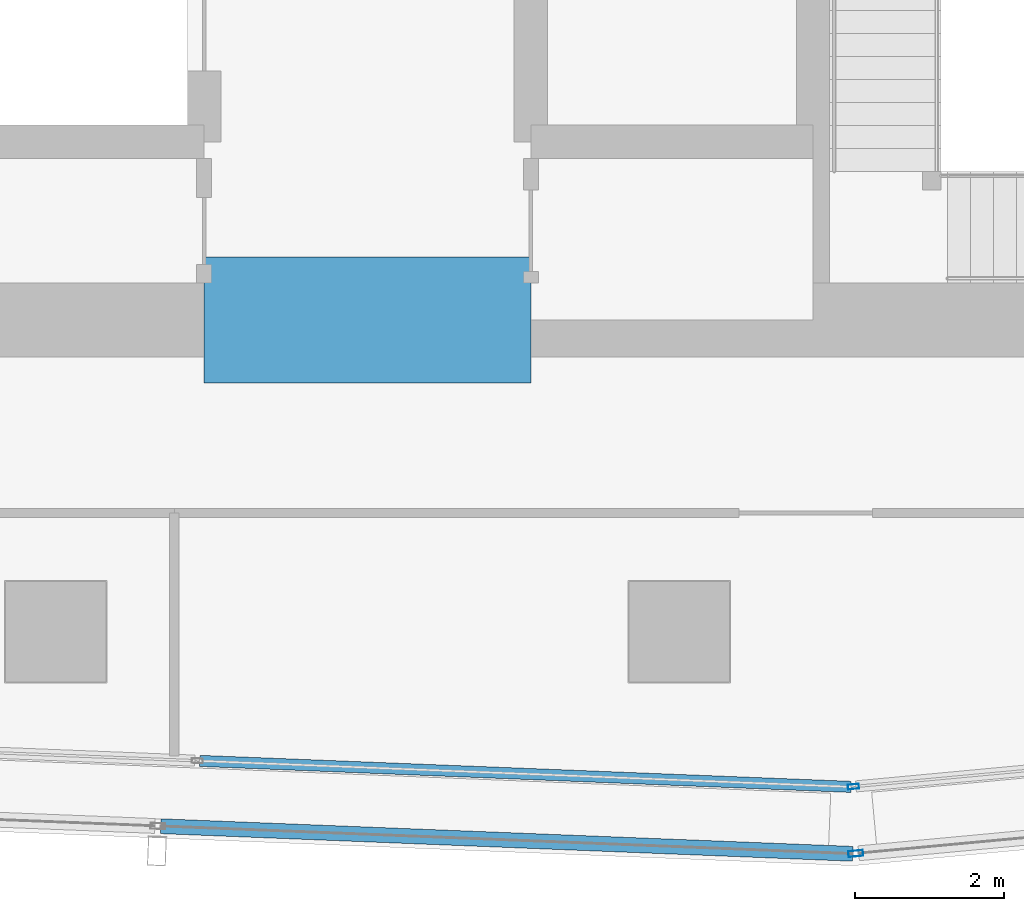
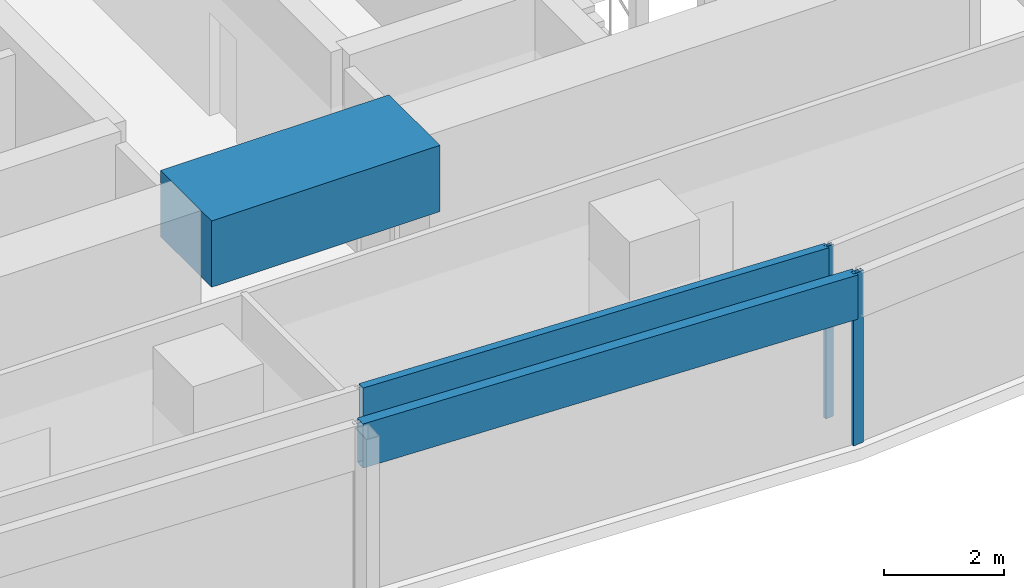
# One storey, part 9 of 39: 4 members, 1 beam, 4 elements without a shape of their own.
"""IFC4 building model written with IfcOpenShell, lengths in metres."""

from ifc_helpers import new_model, si_unit, direction, frame, origin, origin_2d, place, context, subcontext, project, spatial, rectangle, hollow_rectangle, extrude, material, material_profile, profile_set, type_object, element, aggregate, save


model = new_model("IFC4")

# Units and contexts
model_context = context("Model", 3, precision=1e-05, world=origin(), true_north=direction((0.0, 1.0)))
body_context = subcontext(model_context, "Body", "Model", "MODEL_VIEW")
ifc_project = project(units=[si_unit("LENGTHUNIT", "METRE"), si_unit("AREAUNIT", "SQUARE_METRE"), si_unit("VOLUMEUNIT", "CUBIC_METRE"), si_unit("PLANEANGLEUNIT", "RADIAN"), si_unit("MASSUNIT", "GRAM", prefix="KILO")], contexts=[model_context])

# Site, building, storey
site_placement = place(None, origin())
site = spatial("IfcSite", under=ifc_project, at=site_placement, CompositionType="ELEMENT")
building_placement = place(site_placement, origin())
building = spatial("IfcBuilding", under=site, at=building_placement, Name="Rekha Terrace Tower", CompositionType="ELEMENT")
storey_placement = place(building_placement, frame((0.0, 0.0, 221.449951171875)))
storey = spatial("IfcBuildingStorey", under=building, at=storey_placement, Name="L56", CompositionType="ELEMENT", Elevation=221.449951171875)

# Curtain wall, member
ifc_material_1 = material(Name="Aluminium framing", Category="aluminium")
curtain_wall_type_1 = type_object("IfcCurtainWallType", Name="CW1 double skin inner glazing", PredefinedType="USERDEFINED", material=ifc_material_1)
curtain_wall_1_placement = place(storey_placement, origin())
curtain_wall_1 = element("IfcCurtainWall", 1, at=curtain_wall_1_placement, inside=storey, type_object=curtain_wall_type_1, Name="CW1 double skin inner glazing", ObjectType="DOUBLE SKIN INNER GLAZING", PredefinedType="USERDEFINED")
ifc_material_2 = material(Name="Aluminium mullion section", Category="aluminium")
ifc_material_profile_1 = material_profile(ifc_material_2, hollow_rectangle(XDim=0.06494140625, YDim=0.14990234375, WallThickness=0.00390625, at=origin_2d()), Name="AL RHS 65x150")
ifc_profile_set_1 = profile_set([ifc_material_profile_1], Name="Aluminium mullion section")
member_type_1 = type_object("IfcMemberType", Name="CW1 mullion RHS 65 x 150", PredefinedType="MULLION", material=ifc_profile_set_1)
member_1_placement = place(storey_placement, frame((44.34423828125, 14.715087890625, 0.0), z_axis=(0.0, 0.0, 1.0), x_axis=(-0.092708869564, 0.995693258742, 0.0)))
member_1 = element("IfcMember", 2, at=member_1_placement, type_object=member_type_1, Name="CW1 mullion 1", PredefinedType="MULLION", context=body_context, shape_type="SweptSolid", body=[
    extrude(hollow_rectangle(XDim=0.06494140625, YDim=0.14990234375, WallThickness=0.00390625, at=origin_2d()), origin(), (0.0, 0.0, 1.0), 3.5),
])
aggregate(curtain_wall_1, [member_1])

curtain_wall_2_placement = place(storey_placement, origin())
curtain_wall_2 = element("IfcCurtainWall", 3, at=curtain_wall_2_placement, inside=storey, type_object=curtain_wall_type_1, Name="CW1 double skin inner glazing", ObjectType="DOUBLE SKIN INNER GLAZING", PredefinedType="USERDEFINED")
ifc_material_3 = material(Name="Insulated aluminium spandrel box", Category="aluminium")
ifc_material_profile_2 = material_profile(ifc_material_3, hollow_rectangle(XDim=0.14990234375, YDim=0.89990234375, WallThickness=0.0029296875, at=origin_2d()), Name="AL SPANDREL BOX 150x900")
ifc_profile_set_2 = profile_set([ifc_material_profile_2], Name="Insulated aluminium spandrel box")
member_type_2 = type_object("IfcMemberType", Name="CW1 spandrel transom 150 x 900", PredefinedType="USERDEFINED", material=ifc_profile_set_2)
member_2_placement = place(storey_placement, frame((35.5400390625, 15.06201171875, 3.050048828125), z_axis=(0.999204464505, -0.039880297311, 0.0), x_axis=(0.039880297311, 0.999204464505, 0.0)))
member_2 = element("IfcMember", 4, at=member_2_placement, type_object=member_type_2, Name="CW1 spandrel transom 4", ObjectType="TRANSOM", PredefinedType="USERDEFINED", context=body_context, shape_type="SweptSolid", body=[
    extrude(hollow_rectangle(XDim=0.14990234375, YDim=0.89990234375, WallThickness=0.0029296875, at=origin_2d()), origin(), (0.0, 0.0, 1.0), 8.77880859375),
])
aggregate(curtain_wall_2, [member_2])

curtain_wall_type_2 = type_object("IfcCurtainWallType", Name="CW2 double skin outer glazing", PredefinedType="USERDEFINED", material=ifc_material_1)
curtain_wall_3_placement = place(storey_placement, origin())
curtain_wall_3 = element("IfcCurtainWall", 5, at=curtain_wall_3_placement, inside=storey, type_object=curtain_wall_type_2, Name="CW2 double skin outer glazing", ObjectType="DOUBLE SKIN OUTER GLAZING", PredefinedType="USERDEFINED")
ifc_material_profile_3 = material_profile(ifc_material_2, hollow_rectangle(XDim=0.080078125, YDim=0.199951171875, WallThickness=0.00390625, at=origin_2d()), Name="AL RHS 80x200")
ifc_profile_set_3 = profile_set([ifc_material_profile_3], Name="Aluminium mullion section")
member_type_3 = type_object("IfcMemberType", Name="CW2 mullion RHS 80 x 200", PredefinedType="MULLION", material=ifc_profile_set_3)
member_3_placement = place(storey_placement, frame((44.37548828125, 13.81396484375, 0.0), z_axis=(0.0, 0.0, 1.0), x_axis=(-0.092708869512, 0.995693258747, 0.0)))
member_3 = element("IfcMember", 6, at=member_3_placement, type_object=member_type_3, Name="CW2 mullion 1", PredefinedType="MULLION", context=body_context, shape_type="SweptSolid", body=[
    extrude(hollow_rectangle(XDim=0.080078125, YDim=0.199951171875, WallThickness=0.00390625, at=origin_2d()), origin(), (0.0, 0.0, 1.0), 3.5),
])
aggregate(curtain_wall_3, [member_3])

curtain_wall_4_placement = place(storey_placement, origin())
curtain_wall_4 = element("IfcCurtainWall", 7, at=curtain_wall_4_placement, inside=storey, type_object=curtain_wall_type_2, Name="CW2 double skin outer glazing", ObjectType="DOUBLE SKIN OUTER GLAZING", PredefinedType="USERDEFINED")
ifc_material_profile_4 = material_profile(ifc_material_3, hollow_rectangle(XDim=0.199951171875, YDim=0.89990234375, WallThickness=0.0029296875, at=origin_2d()), Name="AL SPANDREL BOX 200x900")
ifc_profile_set_4 = profile_set([ifc_material_profile_4], Name="Insulated aluminium spandrel box")
member_type_4 = type_object("IfcMemberType", Name="CW2 spandrel transom 200 x 900", PredefinedType="USERDEFINED", material=ifc_profile_set_4)
member_4_placement = place(storey_placement, frame((35.01708984375, 14.18212890625, 3.050048828125), z_axis=(0.999204884837, -0.039869764458, 0.0), x_axis=(0.039869764458, 0.999204884837, 0.0)))
member_4 = element("IfcMember", 8, at=member_4_placement, type_object=member_type_4, Name="CW2 spandrel transom 4", ObjectType="TRANSOM", PredefinedType="USERDEFINED", context=body_context, shape_type="SweptSolid", body=[
    extrude(hollow_rectangle(XDim=0.199951171875, YDim=0.89990234375, WallThickness=0.0029296875, at=origin_2d()), origin(), (0.0, 0.0, 1.0), 9.325927734375),
])
aggregate(curtain_wall_4, [member_4])

# Beam
ifc_material_4 = material(Name="Concrete M60", Category="concrete")
ifc_material_profile_5 = material_profile(ifc_material_4, rectangle(XDim=1.699951171875, YDim=1.35009765625, at=origin_2d()), Name="RC 1700x1350")
ifc_profile_set_5 = profile_set([ifc_material_profile_5], Name="Concrete M60")
beam_type = type_object("IfcBeamType", Name="LB3A 1700x1350 diagonally reinforced coupling beam", PredefinedType="LINTEL", material=ifc_profile_set_5)
beam_placement = place(storey_placement, frame((35.60009765625, 21.0, 3.074951171875), z_axis=(1.0, 0.0, 0.0), x_axis=(0.0, 1.0, 0.0)))
element("IfcBeam", 9, at=beam_placement, inside=storey, type_object=beam_type, Name="Coupling beam LB3A S L56", PredefinedType="LINTEL", context=body_context, shape_type="SweptSolid", body=[
    extrude(rectangle(XDim=1.699951171875, YDim=1.35009765625, at=origin_2d()), origin(), (0.0, 0.0, 1.0), 4.39990234375),
])

save(model, "model.ifc")
